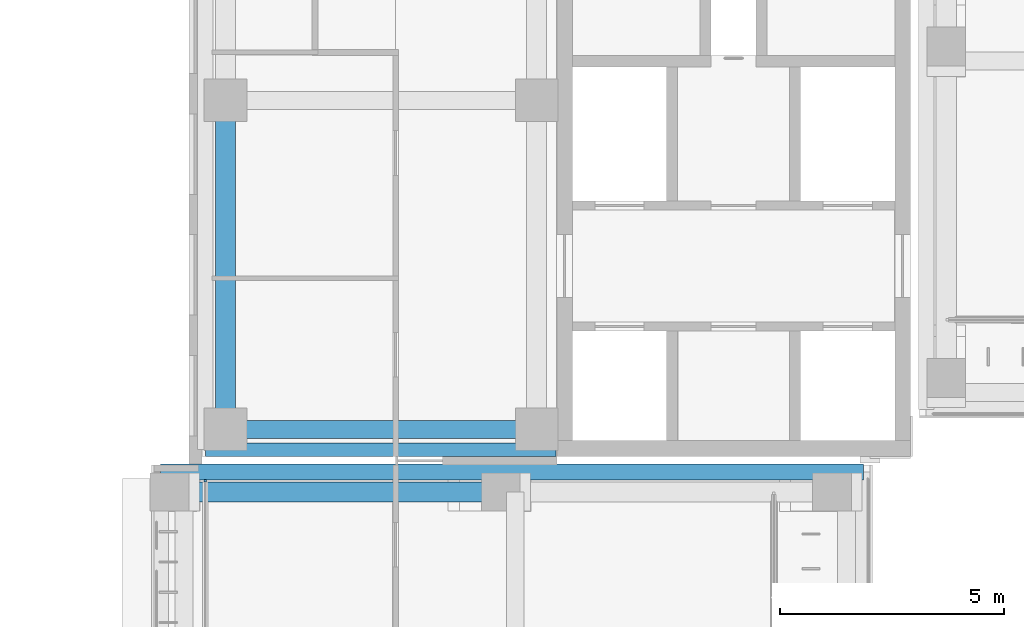
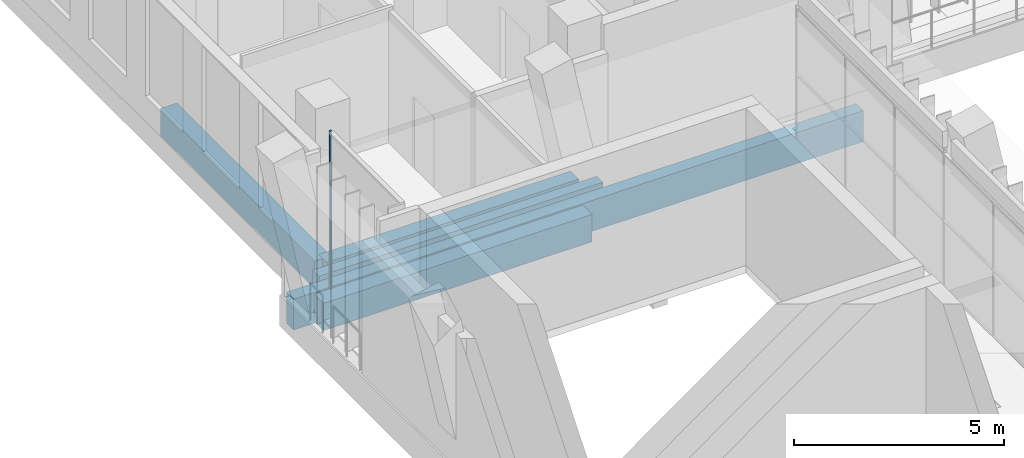
# One storey, part 29 of 92: 5 beams, 1 member, 1 element without a shape of its own.
"""IFC4 building model written with IfcOpenShell, lengths in metres."""

from ifc_helpers import new_model, si_unit, direction, frame, origin, origin_2d, place, context, subcontext, project, spatial, rectangle, extrude, material, material_profile, profile_set, type_object, element, aggregate, save


model = new_model("IFC4")

# Units and contexts
model_context = context("Model", 3, precision=1e-05, world=origin(), true_north=direction((0.0, 1.0)))
body_context = subcontext(model_context, "Body", "Model", "MODEL_VIEW")
ifc_project = project(units=[si_unit("LENGTHUNIT", "METRE"), si_unit("AREAUNIT", "SQUARE_METRE"), si_unit("VOLUMEUNIT", "CUBIC_METRE"), si_unit("PLANEANGLEUNIT", "RADIAN"), si_unit("MASSUNIT", "GRAM", prefix="KILO")], contexts=[model_context])

# Site, building, storey
site_placement = place(None, origin())
site = spatial("IfcSite", under=ifc_project, at=site_placement, CompositionType="ELEMENT")
building_placement = place(site_placement, origin())
building = spatial("IfcBuilding", under=site, at=building_placement, Name="Lantern Court Media Centre", CompositionType="ELEMENT")
storey_placement = place(building_placement, frame((0.0, 0.0, 4.800048828125)))
storey = spatial("IfcBuildingStorey", under=building, at=storey_placement, Name="L01", CompositionType="ELEMENT", Elevation=4.800048828125)

# Curtain wall, member
ifc_material_1 = material(Name="Curtain wall bay 3000")
curtain_wall_type = type_object("IfcCurtainWallType", Name="Curtain wall bay 3000", PredefinedType="NOTDEFINED", material=ifc_material_1)
curtain_wall_placement = place(storey_placement, origin())
curtain_wall = element("IfcCurtainWall", 1, at=curtain_wall_placement, inside=storey, type_object=curtain_wall_type, Name="Curtain wall W outer L01", PredefinedType="NOTDEFINED")
ifc_material_2 = material(Name="Anodised aluminium", Category="aluminium")
ifc_material_profile_1 = material_profile(ifc_material_2, rectangle(XDim=0.06005859375, YDim=0.06005859375, at=origin_2d()), Name="AL 60x60")
ifc_profile_set_1 = profile_set([ifc_material_profile_1], Name="Anodised aluminium")
member_type = type_object("IfcMemberType", Name="Curtain wall mullion 60x60", PredefinedType="MULLION", material=ifc_profile_set_1)
member_placement = place(storey_placement, frame((8.14990234375, 95.550048828125, 0.0), z_axis=(0.0, 0.0, 1.0), x_axis=(-1.0, 0.0, 0.0)))
member = element("IfcMember", 2, at=member_placement, type_object=member_type, Name="CW1 mullion 2", PredefinedType="MULLION", context=body_context, shape_type="SweptSolid", body=[
    extrude(rectangle(XDim=0.06005859375, YDim=0.06005859375, at=origin_2d()), origin(), (0.0, 0.0, 1.0), 4.579833984375),
])
aggregate(curtain_wall, [member])

# Beams
ifc_material_3 = material(Name="Concrete C35", Category="concrete")
ifc_material_profile_2 = material_profile(ifc_material_3, rectangle(XDim=0.300048828125, YDim=0.89990234375, at=origin_2d()), Name="RC 300x900")
ifc_profile_set_2 = profile_set([ifc_material_profile_2], Name="Concrete C35")
beam_type_1 = type_object("IfcBeamType", Name="RC BEAM 300x900", PredefinedType="BEAM", material=ifc_profile_set_2)
beam_1_placement = place(storey_placement, frame((8.14990234375, 96.25, -0.449951171875), z_axis=(1.0, 0.0, 0.0), x_axis=(0.0, 1.0, 0.0)))
element("IfcBeam", 3, at=beam_1_placement, inside=storey, type_object=beam_type_1, Name="EB-NW-L01-S", PredefinedType="BEAM", context=body_context, shape_type="SweptSolid", body=[
    extrude(rectangle(XDim=0.300048828125, YDim=0.89990234375, at=origin_2d()), origin(), (0.0, 0.0, 1.0), 7.830078125),
])
ifc_material_profile_3 = material_profile(ifc_material_3, rectangle(XDim=0.35009765625, YDim=0.89990234375, at=origin_2d()), Name="RC 350x900")
ifc_profile_set_3 = profile_set([ifc_material_profile_3], Name="Concrete C35")
beam_type_2 = type_object("IfcBeamType", Name="RC BEAM 350x900", PredefinedType="BEAM", material=ifc_profile_set_3)
beam_2_placement = place(storey_placement, frame((7.14990234375, 95.75, -0.449951171875), z_axis=(1.0, 0.0, 0.0), x_axis=(0.0, 1.0, 0.0)))
element("IfcBeam", 4, at=beam_2_placement, inside=storey, type_object=beam_type_2, Name="EB-W-L01-D", PredefinedType="BEAM", context=body_context, shape_type="SweptSolid", body=[
    extrude(rectangle(XDim=0.35009765625, YDim=0.89990234375, at=origin_2d()), origin(), (0.0, 0.0, 1.0), 15.7001953125),
])
ifc_material_profile_4 = material_profile(ifc_material_3, rectangle(XDim=0.39990234375, YDim=0.800048828125, at=origin_2d()), Name="RC 400x800")
ifc_profile_set_4 = profile_set([ifc_material_profile_4], Name="Concrete C35")
beam_type_3 = type_object("IfcBeamType", Name="RC BEAM 400x800", PredefinedType="BEAM", material=ifc_profile_set_4)
beam_3_placement = place(storey_placement, frame((8.60009765625, 96.699951171875, -0.400146484375), z_axis=(1.0, 0.0, 0.0), x_axis=(0.0, 1.0, 0.0)))
element("IfcBeam", 5, at=beam_3_placement, inside=storey, type_object=beam_type_3, Name="BB-NW-L01-Y0-96", PredefinedType="BEAM", context=body_context, shape_type="SweptSolid", body=[
    extrude(rectangle(XDim=0.39990234375, YDim=0.800048828125, at=origin_2d()), origin(), (0.0, 0.0, 1.0), 6.949951171875),
])
ifc_material_profile_5 = material_profile(ifc_material_3, rectangle(XDim=0.449951171875, YDim=0.800048828125, at=origin_2d()), Name="RC 450x800")
ifc_profile_set_5 = profile_set([ifc_material_profile_5], Name="Concrete C35")
beam_type_4 = type_object("IfcBeamType", Name="RC BEAM 450x800", PredefinedType="BEAM", material=ifc_profile_set_5)
beam_4_placement = place(storey_placement, frame((8.60009765625, 96.699951171875, -0.400146484375), z_axis=(0.0, 1.0, 0.0), x_axis=(-1.0, 0.0, 0.0)))
element("IfcBeam", 6, at=beam_4_placement, inside=storey, type_object=beam_type_4, Name="BB-NW-L01-X0-8", PredefinedType="BEAM", context=body_context, shape_type="SweptSolid", body=[
    extrude(rectangle(XDim=0.449951171875, YDim=0.800048828125, at=origin_2d()), origin(), (0.0, 0.0, 1.0), 7.35009765625),
])
beam_5_placement = place(storey_placement, frame((7.683349609375, 95.300048828125, -0.400146484375), z_axis=(1.0, 0.0, 0.0), x_axis=(0.0, 1.0, 0.0)))
element("IfcBeam", 7, at=beam_5_placement, inside=storey, type_object=beam_type_4, Name="TB-W-L01-4-1", PredefinedType="BEAM", context=body_context, shape_type="SweptSolid", body=[
    extrude(rectangle(XDim=0.449951171875, YDim=0.800048828125, at=origin_2d()), origin(), (0.0, 0.0, 1.0), 7.39990234375),
])

save(model, "model.ifc")
